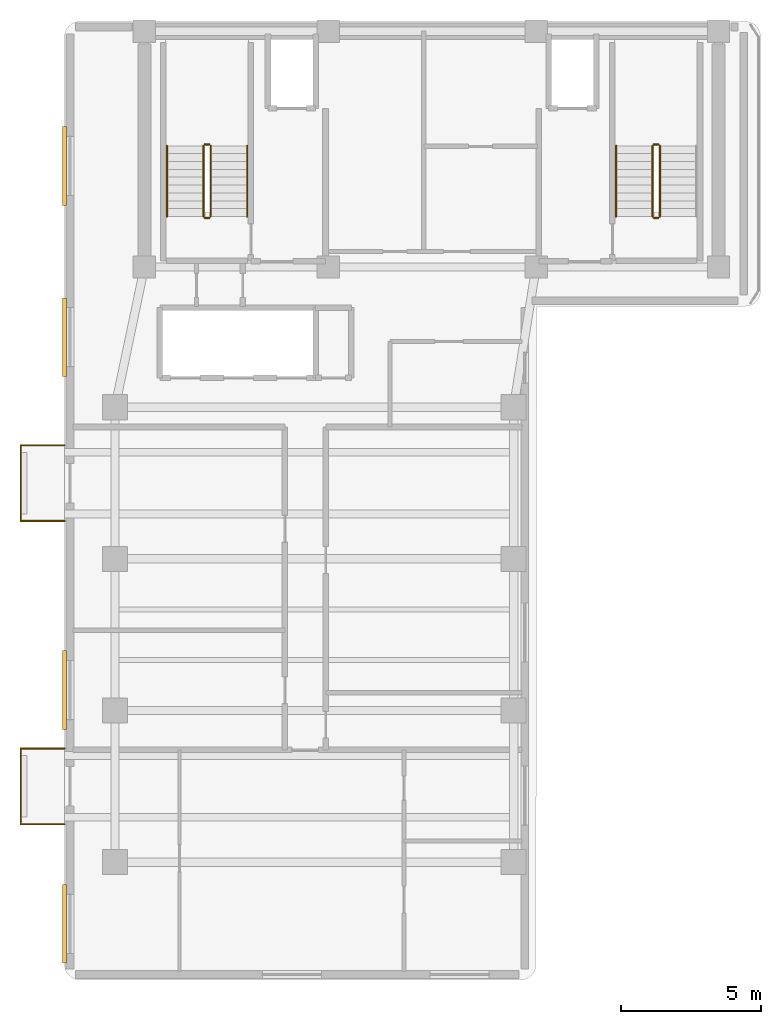
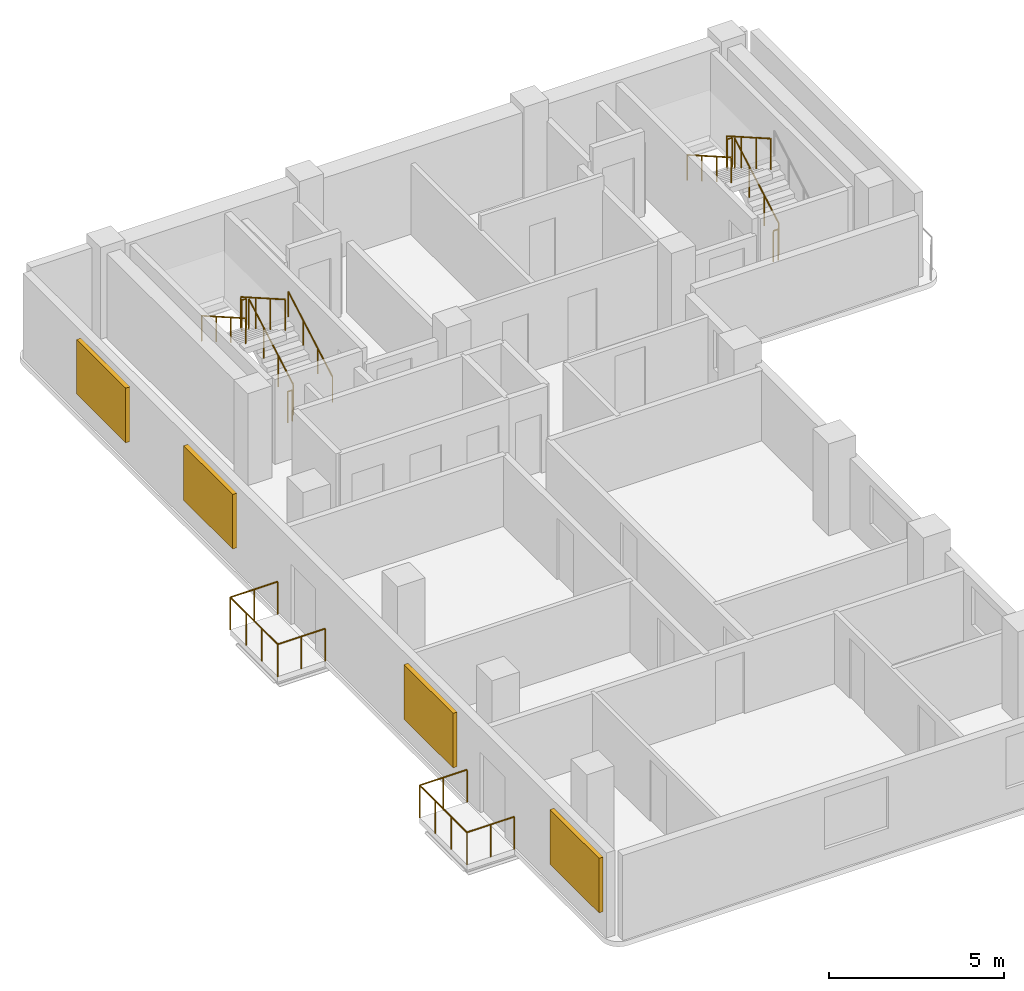
# One storey, part 4 of 5: 17 railings, 4 shading devices.
"""IFC4 building model written with IfcOpenShell, lengths in metres."""

from ifc_helpers import new_model, si_unit, direction, frame, origin, origin_2d, place, context, subcontext, project, spatial, rectangle, circle, extrude, material, layer, layer_set, type_object, element, save


model = new_model("IFC4")

# Units and contexts
model_context = context("Model", 3, precision=1e-05, world=origin(), true_north=direction((0.0, 1.0)))
body_context = subcontext(model_context, "Body", "Model", "MODEL_VIEW")
ifc_project = project(units=[si_unit("LENGTHUNIT", "METRE"), si_unit("AREAUNIT", "SQUARE_METRE"), si_unit("VOLUMEUNIT", "CUBIC_METRE"), si_unit("PLANEANGLEUNIT", "RADIAN"), si_unit("MASSUNIT", "GRAM", prefix="KILO")], contexts=[model_context])

# Site, building, storey
site_placement = place(None, origin())
site = spatial("IfcSite", under=ifc_project, at=site_placement, CompositionType="ELEMENT")
building_placement = place(site_placement, origin())
building = spatial("IfcBuilding", under=site, at=building_placement, Name="Kuzgunbayir Cultural Tower", CompositionType="ELEMENT")
storey_placement = place(building_placement, frame((0.0, 0.0, 211.199951171875)))
storey = spatial("IfcBuildingStorey", under=building, at=storey_placement, Name="L62", CompositionType="ELEMENT", Elevation=211.199951171875)

# Railings
ifc_material_1 = material(Name="Laminated Glass and Stainless Steel", Category="steel")
ifc_layer_1 = layer(ifc_material_1, 0.080078125)
ifc_layer_set_1 = layer_set([ifc_layer_1], Name="Laminated Glass and Stainless Steel")
railing_type_1 = type_object("IfcRailingType", Name="RLG-BAL-115", PredefinedType="BALUSTRADE", material=ifc_layer_set_1)
railing_1_placement = place(storey_placement, frame((3.60009765625, 13.949951171875, 0.0)))
element("IfcRailing", 1, at=railing_1_placement, inside=storey, type_object=railing_type_1, Name="L62 Balcony Guard BAL-L62-WA1 Segment 1", PredefinedType="BALUSTRADE", context=body_context, shape_type="SweptSolid", body=[
    extrude(circle(Radius=0.02392578125, at=origin_2d()), frame((0.0, 0.0, 1.1259765625), z_axis=(-1.0, 0.0, 0.0), x_axis=(0.0, -1.0, 0.0)), (0.0, 0.0, 1.0), 1.56005859375),
    extrude(circle(Radius=0.02099609375, at=origin_2d()), origin(), (0.0, 0.0, 1.0), 1.101806640625),
    extrude(circle(Radius=0.02099609375, at=origin_2d()), frame((-0.780029296875, 0.0, 0.0)), (0.0, 0.0, 1.0), 1.101806640625),
    extrude(circle(Radius=0.02099609375, at=origin_2d()), frame((-1.56005859375, 0.0, 0.0)), (0.0, 0.0, 1.0), 1.101806640625),
])
railing_2_placement = place(storey_placement, frame((2.0400390625, 13.949951171875, 0.0)))
element("IfcRailing", 2, at=railing_2_placement, inside=storey, type_object=railing_type_1, Name="L62 Balcony Guard BAL-L62-WA1 Segment 2", PredefinedType="BALUSTRADE", context=body_context, shape_type="SweptSolid", body=[
    extrude(circle(Radius=0.02392578125, at=origin_2d()), frame((0.0, 0.0, 1.1259765625), z_axis=(0.0, 1.0, 0.0), x_axis=(-1.0, 0.0, 0.0)), (0.0, 0.0, 1.0), 2.699951171875),
    extrude(circle(Radius=0.02099609375, at=origin_2d()), origin(), (0.0, 0.0, 1.0), 1.101806640625),
    extrude(circle(Radius=0.02099609375, at=origin_2d()), frame((0.0, 0.89990234375, 0.0)), (0.0, 0.0, 1.0), 1.101806640625),
    extrude(circle(Radius=0.02099609375, at=origin_2d()), frame((0.0, 1.800048828125, 0.0)), (0.0, 0.0, 1.0), 1.101806640625),
    extrude(circle(Radius=0.02099609375, at=origin_2d()), frame((0.0, 2.699951171875, 0.0)), (0.0, 0.0, 1.0), 1.101806640625),
])
railing_3_placement = place(storey_placement, frame((2.0400390625, 16.64990234375, 0.0)))
element("IfcRailing", 3, at=railing_3_placement, inside=storey, type_object=railing_type_1, Name="L62 Balcony Guard BAL-L62-WA1 Segment 3", PredefinedType="BALUSTRADE", context=body_context, shape_type="SweptSolid", body=[
    extrude(circle(Radius=0.02392578125, at=origin_2d()), frame((0.0, 0.0, 1.1259765625), z_axis=(1.0, 0.0, 0.0), x_axis=(0.0, 1.0, 0.0)), (0.0, 0.0, 1.0), 1.56005859375),
    extrude(circle(Radius=0.02099609375, at=origin_2d()), origin(), (0.0, 0.0, 1.0), 1.101806640625),
    extrude(circle(Radius=0.02099609375, at=origin_2d()), frame((0.780029296875, 0.0, 0.0)), (0.0, 0.0, 1.0), 1.101806640625),
    extrude(circle(Radius=0.02099609375, at=origin_2d()), frame((1.56005859375, 0.0, 0.0)), (0.0, 0.0, 1.0), 1.101806640625),
])
railing_4_placement = place(storey_placement, frame((3.60009765625, 24.75, 0.0)))
element("IfcRailing", 4, at=railing_4_placement, inside=storey, type_object=railing_type_1, Name="L62 Balcony Guard BAL-L62-WA3 Segment 1", PredefinedType="BALUSTRADE", context=body_context, shape_type="SweptSolid", body=[
    extrude(circle(Radius=0.02392578125, at=origin_2d()), frame((0.0, 0.0, 1.1259765625), z_axis=(-1.0, 0.0, 0.0), x_axis=(0.0, -1.0, 0.0)), (0.0, 0.0, 1.0), 1.56005859375),
    extrude(circle(Radius=0.02099609375, at=origin_2d()), origin(), (0.0, 0.0, 1.0), 1.101806640625),
    extrude(circle(Radius=0.02099609375, at=origin_2d()), frame((-0.780029296875, 0.0, 0.0)), (0.0, 0.0, 1.0), 1.101806640625),
    extrude(circle(Radius=0.02099609375, at=origin_2d()), frame((-1.56005859375, 0.0, 0.0)), (0.0, 0.0, 1.0), 1.101806640625),
])
railing_5_placement = place(storey_placement, frame((2.0400390625, 24.75, 0.0)))
element("IfcRailing", 5, at=railing_5_placement, inside=storey, type_object=railing_type_1, Name="L62 Balcony Guard BAL-L62-WA3 Segment 2", PredefinedType="BALUSTRADE", context=body_context, shape_type="SweptSolid", body=[
    extrude(circle(Radius=0.02392578125, at=origin_2d()), frame((0.0, 0.0, 1.1259765625), z_axis=(0.0, 1.0, 0.0), x_axis=(-1.0, 0.0, 0.0)), (0.0, 0.0, 1.0), 2.699951171875),
    extrude(circle(Radius=0.02099609375, at=origin_2d()), origin(), (0.0, 0.0, 1.0), 1.101806640625),
    extrude(circle(Radius=0.02099609375, at=origin_2d()), frame((0.0, 0.89990234375, 0.0)), (0.0, 0.0, 1.0), 1.101806640625),
    extrude(circle(Radius=0.02099609375, at=origin_2d()), frame((0.0, 1.800048828125, 0.0)), (0.0, 0.0, 1.0), 1.101806640625),
    extrude(circle(Radius=0.02099609375, at=origin_2d()), frame((0.0, 2.699951171875, 0.0)), (0.0, 0.0, 1.0), 1.101806640625),
])
railing_6_placement = place(storey_placement, frame((2.0400390625, 27.449951171875, 0.0)))
element("IfcRailing", 6, at=railing_6_placement, inside=storey, type_object=railing_type_1, Name="L62 Balcony Guard BAL-L62-WA3 Segment 3", PredefinedType="BALUSTRADE", context=body_context, shape_type="SweptSolid", body=[
    extrude(circle(Radius=0.02392578125, at=origin_2d()), frame((0.0, 0.0, 1.1259765625), z_axis=(1.0, 0.0, 0.0), x_axis=(0.0, 1.0, 0.0)), (0.0, 0.0, 1.0), 1.56005859375),
    extrude(circle(Radius=0.02099609375, at=origin_2d()), origin(), (0.0, 0.0, 1.0), 1.101806640625),
    extrude(circle(Radius=0.02099609375, at=origin_2d()), frame((0.780029296875, 0.0, 0.0)), (0.0, 0.0, 1.0), 1.101806640625),
    extrude(circle(Radius=0.02099609375, at=origin_2d()), frame((1.56005859375, 0.0, 0.0)), (0.0, 0.0, 1.0), 1.101806640625),
])
ifc_material_2 = material(Name="Brushed Stainless Steel", Category="steel")
ifc_layer_2 = layer(ifc_material_2, 0.050048828125)
ifc_layer_set_2 = layer_set([ifc_layer_2], Name="Brushed Stainless Steel")
railing_type_2 = type_object("IfcRailingType", Name="RLG-STAIR-HANDRAIL", PredefinedType="HANDRAIL", material=ifc_layer_set_2)
railing_7_placement = place(storey_placement, frame((10.110107421875, 35.60009765625, 0.16015625)))
element("IfcRailing", 7, at=railing_7_placement, inside=storey, type_object=railing_type_2, Name="L62 ST-1 stair handrail 1", PredefinedType="HANDRAIL", context=body_context, shape_type="SweptSolid", body=[
    extrude(circle(Radius=0.02392578125, at=origin_2d()), frame((0.0, 0.0, 0.8759765625), z_axis=(0.0, 0.868253494771, 0.496120820787), x_axis=(-1.0, 0.0, 0.0)), (0.0, 0.0, 1.0), 2.90234375),
    extrude(circle(Radius=0.02099609375, at=origin_2d()), origin(), (0.0, 0.0, 1.0), 0.851806640625),
    extrude(circle(Radius=0.02099609375, at=origin_2d()), frame((0.0, 0.840087890625, 0.47998046875)), (0.0, 0.0, 1.0), 0.851806640625),
    extrude(circle(Radius=0.02099609375, at=origin_2d()), frame((0.0, 1.679931640625, 0.9599609375)), (0.0, 0.0, 1.0), 0.851806640625),
    extrude(circle(Radius=0.02099609375, at=origin_2d()), frame((0.0, 2.52001953125, 1.43994140625)), (0.0, 0.0, 1.0), 0.851806640625),
])
for number, where, name in (
    (8, (7.25, 38.1201171875, 1.760009765625), "L62 ST-1 stair handrail 2"),
    (9, (23.25, 38.1201171875, 1.760009765625), "L62 ST-2 stair handrail 2"),
):
    element("IfcRailing", number, at=place(storey_placement, frame(where)), inside=storey, type_object=railing_type_2, Name=name, PredefinedType="HANDRAIL", context=body_context, shape_type="SweptSolid", body=[
        extrude(circle(Radius=0.02392578125, at=origin_2d()), frame((0.0, 0.0, 0.8759765625), z_axis=(0.0, -0.868253494771, 0.496120820787), x_axis=(1.0, 0.0, 0.0)), (0.0, 0.0, 1.0), 2.90234375),
        extrude(circle(Radius=0.02099609375, at=origin_2d()), origin(), (0.0, 0.0, 1.0), 0.851806640625),
        extrude(circle(Radius=0.02099609375, at=origin_2d()), frame((0.0, -0.840087890625, 0.47998046875)), (0.0, 0.0, 1.0), 0.851806640625),
        extrude(circle(Radius=0.02099609375, at=origin_2d()), frame((0.0, -1.679931640625, 0.9599609375)), (0.0, 0.0, 1.0), 0.851806640625),
        extrude(circle(Radius=0.02099609375, at=origin_2d()), frame((0.0, -2.52001953125, 1.43994140625)), (0.0, 0.0, 1.0), 0.851806640625),
    ])
ifc_material_3 = material(Name="Painted Steel Balustrade", Category="steel")
ifc_layer_3 = layer(ifc_material_3, 0.06005859375)
ifc_layer_set_3 = layer_set([ifc_layer_3], Name="Painted Steel Balustrade")
railing_type_3 = type_object("IfcRailingType", Name="RLG-WELL-GUARD", PredefinedType="GUARDRAIL", material=ifc_layer_set_3)
railing_8_placement = place(storey_placement, frame((8.81005859375, 35.60009765625, 0.16015625)))
element("IfcRailing", 10, at=railing_8_placement, inside=storey, type_object=railing_type_3, Name="L62 ST-1 stair guard 1", PredefinedType="GUARDRAIL", context=body_context, shape_type="SweptSolid", body=[
    extrude(circle(Radius=0.02392578125, at=origin_2d()), frame((0.0, 0.0, 1.076171875), z_axis=(0.0, 0.868253494771, 0.496120820787), x_axis=(-1.0, 0.0, 0.0)), (0.0, 0.0, 1.0), 2.90234375),
    extrude(circle(Radius=0.02099609375, at=origin_2d()), origin(), (0.0, 0.0, 1.0), 1.052001953125),
    extrude(circle(Radius=0.02099609375, at=origin_2d()), frame((0.0, 0.840087890625, 0.47998046875)), (0.0, 0.0, 1.0), 1.052001953125),
    extrude(circle(Radius=0.02099609375, at=origin_2d()), frame((0.0, 1.679931640625, 0.9599609375)), (0.0, 0.0, 1.0), 1.052001953125),
    extrude(circle(Radius=0.02099609375, at=origin_2d()), frame((0.0, 2.52001953125, 1.43994140625)), (0.0, 0.0, 1.0), 1.052001953125),
])
railing_9_placement = place(storey_placement, frame((8.760009765625, 38.169921875, 1.60009765625)))
element("IfcRailing", 11, at=railing_9_placement, inside=storey, type_object=railing_type_3, Name="L62 ST-1 stair guard 2", PredefinedType="GUARDRAIL", context=body_context, shape_type="SweptSolid", body=[
    extrude(circle(Radius=0.02392578125, at=origin_2d()), frame((0.0, 0.0, 1.076171875), z_axis=(-1.0, 0.0, 0.0), x_axis=(0.0, -1.0, 0.0)), (0.0, 0.0, 1.0), 0.159912109375),
    extrude(circle(Radius=0.02099609375, at=origin_2d()), origin(), (0.0, 0.0, 1.0), 1.052001953125),
    extrude(circle(Radius=0.02099609375, at=origin_2d()), frame((-0.159912109375, 0.0, 0.0)), (0.0, 0.0, 1.0), 1.052001953125),
])
railing_10_placement = place(storey_placement, frame((8.550048828125, 38.1201171875, 1.760009765625)))
element("IfcRailing", 12, at=railing_10_placement, inside=storey, type_object=railing_type_3, Name="L62 ST-1 stair guard 3", PredefinedType="GUARDRAIL", context=body_context, shape_type="SweptSolid", body=[
    extrude(circle(Radius=0.02392578125, at=origin_2d()), frame((0.0, 0.0, 1.076171875), z_axis=(0.0, -0.868253494771, 0.496120820787), x_axis=(1.0, 0.0, 0.0)), (0.0, 0.0, 1.0), 2.90234375),
    extrude(circle(Radius=0.02099609375, at=origin_2d()), origin(), (0.0, 0.0, 1.0), 1.052001953125),
    extrude(circle(Radius=0.02099609375, at=origin_2d()), frame((0.0, -0.840087890625, 0.47998046875)), (0.0, 0.0, 1.0), 1.052001953125),
    extrude(circle(Radius=0.02099609375, at=origin_2d()), frame((0.0, -1.679931640625, 0.9599609375)), (0.0, 0.0, 1.0), 1.052001953125),
    extrude(circle(Radius=0.02099609375, at=origin_2d()), frame((0.0, -2.52001953125, 1.43994140625)), (0.0, 0.0, 1.0), 1.052001953125),
])
railing_11_placement = place(storey_placement, frame((8.760009765625, 35.550048828125, 0.0)))
element("IfcRailing", 13, at=railing_11_placement, inside=storey, type_object=railing_type_3, Name="L62 ST-1 stair guard 4", PredefinedType="GUARDRAIL", context=body_context, shape_type="SweptSolid", body=[
    extrude(circle(Radius=0.02392578125, at=origin_2d()), frame((0.0, 0.0, 1.076171875), z_axis=(-1.0, 0.0, 0.0), x_axis=(0.0, -1.0, 0.0)), (0.0, 0.0, 1.0), 0.159912109375),
    extrude(circle(Radius=0.02099609375, at=origin_2d()), origin(), (0.0, 0.0, 1.0), 1.052001953125),
    extrude(circle(Radius=0.02099609375, at=origin_2d()), frame((-0.159912109375, 0.0, 0.0)), (0.0, 0.0, 1.0), 1.052001953125),
])
railing_12_placement = place(storey_placement, frame((24.81005859375, 35.60009765625, 0.16015625)))
element("IfcRailing", 14, at=railing_12_placement, inside=storey, type_object=railing_type_3, Name="L62 ST-2 stair guard 1", PredefinedType="GUARDRAIL", context=body_context, shape_type="SweptSolid", body=[
    extrude(circle(Radius=0.02392578125, at=origin_2d()), frame((0.0, 0.0, 1.076171875), z_axis=(0.0, 0.868253494771, 0.496120820787), x_axis=(-1.0, 0.0, 0.0)), (0.0, 0.0, 1.0), 2.90234375),
    extrude(circle(Radius=0.02099609375, at=origin_2d()), origin(), (0.0, 0.0, 1.0), 1.052001953125),
    extrude(circle(Radius=0.02099609375, at=origin_2d()), frame((0.0, 0.840087890625, 0.47998046875)), (0.0, 0.0, 1.0), 1.052001953125),
    extrude(circle(Radius=0.02099609375, at=origin_2d()), frame((0.0, 1.679931640625, 0.9599609375)), (0.0, 0.0, 1.0), 1.052001953125),
    extrude(circle(Radius=0.02099609375, at=origin_2d()), frame((0.0, 2.52001953125, 1.43994140625)), (0.0, 0.0, 1.0), 1.052001953125),
])
railing_13_placement = place(storey_placement, frame((24.760009765625, 38.169921875, 1.60009765625)))
element("IfcRailing", 15, at=railing_13_placement, inside=storey, type_object=railing_type_3, Name="L62 ST-2 stair guard 2", PredefinedType="GUARDRAIL", context=body_context, shape_type="SweptSolid", body=[
    extrude(circle(Radius=0.02392578125, at=origin_2d()), frame((0.0, 0.0, 1.076171875), z_axis=(-1.0, 0.0, 0.0), x_axis=(0.0, -1.0, 0.0)), (0.0, 0.0, 1.0), 0.159912109375),
    extrude(circle(Radius=0.02099609375, at=origin_2d()), origin(), (0.0, 0.0, 1.0), 1.052001953125),
    extrude(circle(Radius=0.02099609375, at=origin_2d()), frame((-0.159912109375, 0.0, 0.0)), (0.0, 0.0, 1.0), 1.052001953125),
])
railing_14_placement = place(storey_placement, frame((24.550048828125, 38.1201171875, 1.760009765625)))
element("IfcRailing", 16, at=railing_14_placement, inside=storey, type_object=railing_type_3, Name="L62 ST-2 stair guard 3", PredefinedType="GUARDRAIL", context=body_context, shape_type="SweptSolid", body=[
    extrude(circle(Radius=0.02392578125, at=origin_2d()), frame((0.0, 0.0, 1.076171875), z_axis=(0.0, -0.868253494771, 0.496120820787), x_axis=(1.0, 0.0, 0.0)), (0.0, 0.0, 1.0), 2.90234375),
    extrude(circle(Radius=0.02099609375, at=origin_2d()), origin(), (0.0, 0.0, 1.0), 1.052001953125),
    extrude(circle(Radius=0.02099609375, at=origin_2d()), frame((0.0, -0.840087890625, 0.47998046875)), (0.0, 0.0, 1.0), 1.052001953125),
    extrude(circle(Radius=0.02099609375, at=origin_2d()), frame((0.0, -1.679931640625, 0.9599609375)), (0.0, 0.0, 1.0), 1.052001953125),
    extrude(circle(Radius=0.02099609375, at=origin_2d()), frame((0.0, -2.52001953125, 1.43994140625)), (0.0, 0.0, 1.0), 1.052001953125),
])
railing_15_placement = place(storey_placement, frame((24.760009765625, 35.550048828125, 0.0)))
element("IfcRailing", 17, at=railing_15_placement, inside=storey, type_object=railing_type_3, Name="L62 ST-2 stair guard 4", PredefinedType="GUARDRAIL", context=body_context, shape_type="SweptSolid", body=[
    extrude(circle(Radius=0.02392578125, at=origin_2d()), frame((0.0, 0.0, 1.076171875), z_axis=(-1.0, 0.0, 0.0), x_axis=(0.0, -1.0, 0.0)), (0.0, 0.0, 1.0), 0.159912109375),
    extrude(circle(Radius=0.02099609375, at=origin_2d()), origin(), (0.0, 0.0, 1.0), 1.052001953125),
    extrude(circle(Radius=0.02099609375, at=origin_2d()), frame((-0.159912109375, 0.0, 0.0)), (0.0, 0.0, 1.0), 1.052001953125),
])

# Shading devices
ifc_material_4 = material(Name="Perforated Bronze-Anodised Aluminium", Category="aluminium")
shading_device_type = type_object("IfcShadingDeviceType", Name="SHD-SOLAR-BRONZE", PredefinedType="JALOUSIE", material=ifc_material_4)
for number, where, z_axis, x_axis, name in (
    (18, (3.60009765625, 18.72998046875, 0.800048828125), (0.0, 0.0, 1.0), (1.0, 0.0, 0.0), "L62 Perforated Bronze Solar Screen WAW5"),
    (19, (3.60009765625, 10.39990234375, 0.800048828125), (0.0, 0.0, 1.0), (1.0, 0.0, 0.0), "L62 Perforated Bronze Solar Screen WAW7"),
    (20, (3.60009765625, 31.300048828125, 0.800048828125), (0.0, 0.0, 1.0), (1.0, 0.0, 0.0), "L62 Perforated Bronze Solar Screen WAW8"),
    (21, (3.60009765625, 37.39990234375, 0.800048828125), (0.0, 0.0, 1.0), (1.0, 0.0, 0.0), "L62 Perforated Bronze Solar Screen WAW9"),
):
    element("IfcShadingDevice", number, at=place(storey_placement, frame(where, z_axis=z_axis, x_axis=x_axis)), inside=storey, type_object=shading_device_type, Name=name, PredefinedType="JALOUSIE", context=body_context, shape_type="SweptSolid", body=[
        extrude(rectangle(XDim=0.139892578125, YDim=2.800048828125, at=origin_2d()), origin(), (0.0, 0.0, 1.0), 1.89990234375),
    ])

save(model, "model.ifc")
